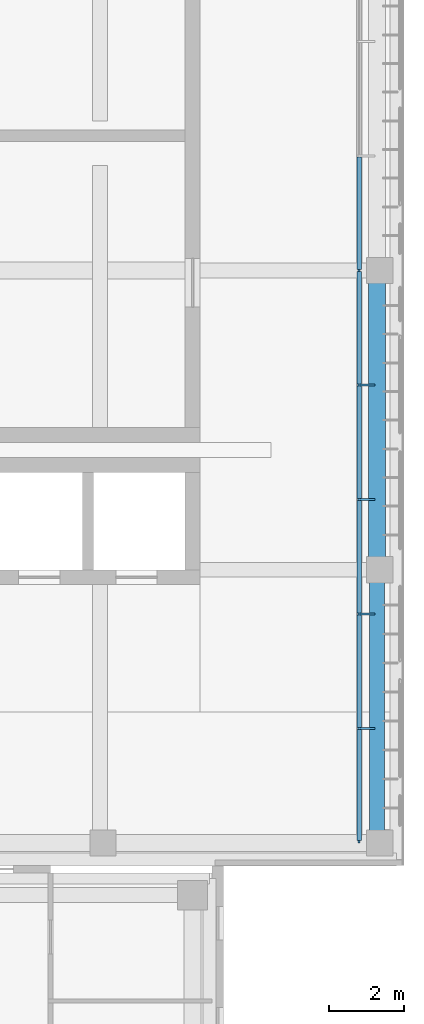
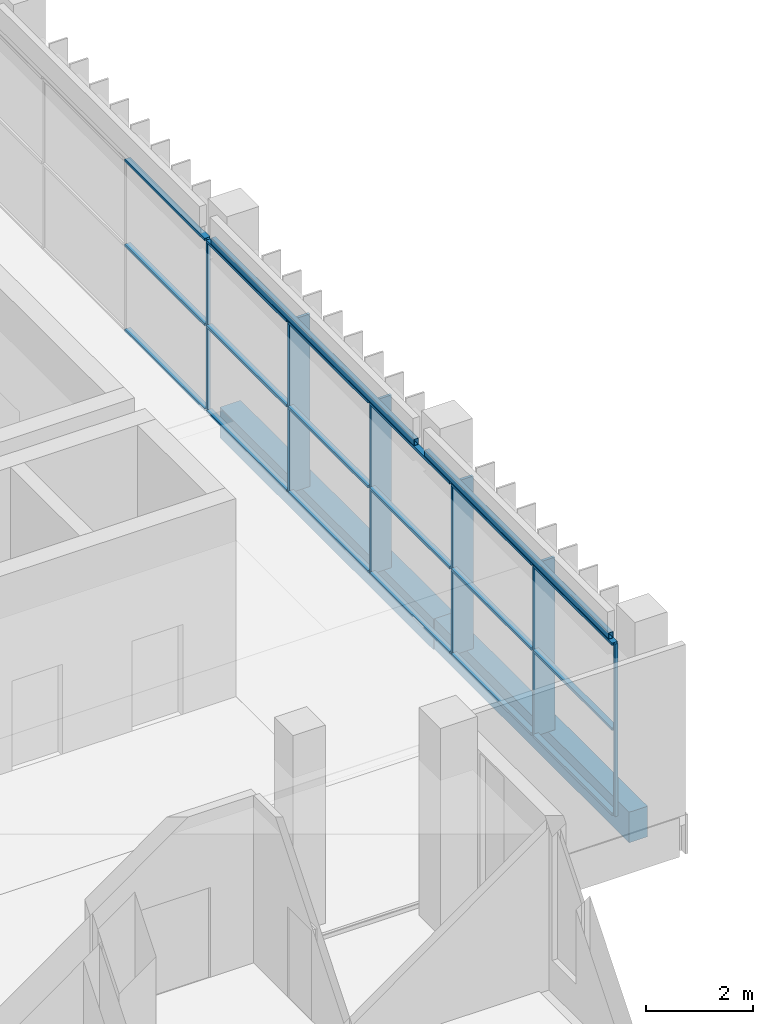
# One storey, part 29 of 73: 24 members, 4 beams, 1 element without a shape of its own.
"""IFC4 building model written with IfcOpenShell, lengths in metres."""

from ifc_helpers import new_model, si_unit, direction, frame, origin, origin_2d, place, context, subcontext, project, spatial, rectangle, hollow_rectangle, extrude, material, material_profile, profile_set, type_object, element, aggregate, save


model = new_model("IFC4")

# Units and contexts
model_context = context("Model", 3, precision=1e-05, world=origin(), true_north=direction((0.0, 1.0)))
body_context = subcontext(model_context, "Body", "Model", "MODEL_VIEW")
ifc_project = project(units=[si_unit("LENGTHUNIT", "METRE"), si_unit("AREAUNIT", "SQUARE_METRE"), si_unit("VOLUMEUNIT", "CUBIC_METRE"), si_unit("PLANEANGLEUNIT", "RADIAN"), si_unit("MASSUNIT", "GRAM", prefix="KILO")], contexts=[model_context])

# Site, building, storey
site_placement = place(None, origin())
site = spatial("IfcSite", under=ifc_project, at=site_placement, CompositionType="ELEMENT")
building_placement = place(site_placement, origin())
building = spatial("IfcBuilding", under=site, at=building_placement, Name="Lantern Court Media Centre", CompositionType="ELEMENT")
storey_placement = place(building_placement, frame((0.0, 0.0, 24.0)))
storey = spatial("IfcBuildingStorey", under=building, at=storey_placement, Name="L05", CompositionType="ELEMENT", Elevation=24.0)

# Curtain wall, members
ifc_material_1 = material(Name="Curtain wall bay 3000")
curtain_wall_type = type_object("IfcCurtainWallType", Name="Curtain wall bay 3000", PredefinedType="NOTDEFINED", material=ifc_material_1)
curtain_wall_placement = place(storey_placement, origin())
curtain_wall = element("IfcCurtainWall", 1, at=curtain_wall_placement, inside=storey, type_object=curtain_wall_type, Name="Curtain wall E outer L05", PredefinedType="NOTDEFINED")
ifc_material_2 = material(Name="Anodised aluminium", Category="aluminium")
ifc_material_profile_1 = material_profile(ifc_material_2, rectangle(XDim=0.449951171875, YDim=0.06005859375, at=origin_2d()), Name="AL 60x450")
ifc_profile_set_1 = profile_set([ifc_material_profile_1], Name="Anodised aluminium")
member_type_1 = type_object("IfcMemberType", Name="Curtain wall mullion 60x450", PredefinedType="MULLION", material=ifc_profile_set_1)
member_1_placement = place(storey_placement, frame((100.044921875, 67.760009765625, 0.0), z_axis=(0.0, 0.0, 1.0), x_axis=(-1.0, 0.0, 0.0)))
member_1 = element("IfcMember", 2, at=member_1_placement, type_object=member_type_1, Name="CW1 mullion 2", PredefinedType="MULLION", context=body_context, shape_type="SweptSolid", body=[
    extrude(rectangle(XDim=0.449951171875, YDim=0.06005859375, at=origin_2d()), origin(), (0.0, 0.0, 1.0), 3.949951171875),
])
member_2_placement = place(storey_placement, frame((100.044921875, 70.820068359375, 0.0), z_axis=(0.0, 0.0, 1.0), x_axis=(-1.0, 0.0, 0.0)))
member_2 = element("IfcMember", 3, at=member_2_placement, type_object=member_type_1, Name="CW1 mullion 3", PredefinedType="MULLION", context=body_context, shape_type="SweptSolid", body=[
    extrude(rectangle(XDim=0.449951171875, YDim=0.06005859375, at=origin_2d()), origin(), (0.0, 0.0, 1.0), 3.949951171875),
])
member_3_placement = place(storey_placement, frame((100.044921875, 73.8798828125, 0.0), z_axis=(0.0, 0.0, 1.0), x_axis=(-1.0, 0.0, 0.0)))
member_3 = element("IfcMember", 4, at=member_3_placement, type_object=member_type_1, Name="CW1 mullion 4", PredefinedType="MULLION", context=body_context, shape_type="SweptSolid", body=[
    extrude(rectangle(XDim=0.449951171875, YDim=0.06005859375, at=origin_2d()), origin(), (0.0, 0.0, 1.0), 3.949951171875),
])
member_4_placement = place(storey_placement, frame((100.044921875, 76.93994140625, 0.0), z_axis=(0.0, 0.0, 1.0), x_axis=(-1.0, 0.0, 0.0)))
member_4 = element("IfcMember", 5, at=member_4_placement, type_object=member_type_1, Name="CW1 mullion 5", PredefinedType="MULLION", context=body_context, shape_type="SweptSolid", body=[
    extrude(rectangle(XDim=0.449951171875, YDim=0.06005859375, at=origin_2d()), origin(), (0.0, 0.0, 1.0), 3.949951171875),
])
ifc_material_profile_2 = material_profile(ifc_material_2, rectangle(XDim=0.06005859375, YDim=0.06005859375, at=origin_2d()), Name="AL 60x60")
ifc_profile_set_2 = profile_set([ifc_material_profile_2], Name="Anodised aluminium")
member_type_2 = type_object("IfcMemberType", Name="Curtain wall mullion 60x60", PredefinedType="MULLION", material=ifc_profile_set_2)
member_5_placement = place(storey_placement, frame((99.85009765625, 64.72998046875, 0.0), z_axis=(0.0, 0.0, 1.0), x_axis=(-1.0, 0.0, 0.0)))
member_5 = element("IfcMember", 6, at=member_5_placement, type_object=member_type_2, Name="CW1 mullion 1", PredefinedType="MULLION", context=body_context, shape_type="SweptSolid", body=[
    extrude(rectangle(XDim=0.06005859375, YDim=0.06005859375, at=origin_2d()), origin(), (0.0, 0.0, 1.0), 3.949951171875),
])
member_6_placement = place(storey_placement, frame((99.85009765625, 80.0, 0.0), z_axis=(0.0, 0.0, 1.0), x_axis=(-1.0, 0.0, 0.0)))
member_6 = element("IfcMember", 7, at=member_6_placement, type_object=member_type_2, Name="CW1 mullion 6", PredefinedType="MULLION", context=body_context, shape_type="SweptSolid", body=[
    extrude(rectangle(XDim=0.06005859375, YDim=0.06005859375, at=origin_2d()), origin(), (0.0, 0.0, 1.0), 3.949951171875),
])
ifc_material_profile_3 = material_profile(ifc_material_2, rectangle(XDim=0.1201171875, YDim=0.06005859375, at=origin_2d()), Name="AL 60x120")
ifc_profile_set_3 = profile_set([ifc_material_profile_3], Name="Anodised aluminium")
member_type_3 = type_object("IfcMemberType", Name="Curtain wall transom 60x120", PredefinedType="USERDEFINED", material=ifc_profile_set_3)
member_7_placement = place(storey_placement, frame((99.85009765625, 64.760009765625, 0.030029296875), z_axis=(0.0, 1.0, 0.0), x_axis=(-1.0, 0.0, 0.0)))
member_7 = element("IfcMember", 8, at=member_7_placement, type_object=member_type_3, Name="CW1 transom 1.1", ObjectType="TRANSOM", PredefinedType="USERDEFINED", context=body_context, shape_type="SweptSolid", body=[
    extrude(rectangle(XDim=0.1201171875, YDim=0.06005859375, at=origin_2d()), origin(), (0.0, 0.0, 1.0), 2.969970703125),
])
member_8_placement = place(storey_placement, frame((99.85009765625, 64.760009765625, 1.97509765625), z_axis=(0.0, 1.0, 0.0), x_axis=(-1.0, 0.0, 0.0)))
member_8 = element("IfcMember", 9, at=member_8_placement, type_object=member_type_3, Name="CW1 transom 1.2", ObjectType="TRANSOM", PredefinedType="USERDEFINED", context=body_context, shape_type="SweptSolid", body=[
    extrude(rectangle(XDim=0.1201171875, YDim=0.06005859375, at=origin_2d()), origin(), (0.0, 0.0, 1.0), 2.969970703125),
])
member_9_placement = place(storey_placement, frame((99.85009765625, 64.760009765625, 3.919921875), z_axis=(0.0, 1.0, 0.0), x_axis=(-1.0, 0.0, 0.0)))
member_9 = element("IfcMember", 10, at=member_9_placement, type_object=member_type_3, Name="CW1 transom 1.3", ObjectType="TRANSOM", PredefinedType="USERDEFINED", context=body_context, shape_type="SweptSolid", body=[
    extrude(rectangle(XDim=0.1201171875, YDim=0.06005859375, at=origin_2d()), origin(), (0.0, 0.0, 1.0), 2.969970703125),
])
member_10_placement = place(storey_placement, frame((99.85009765625, 67.7900390625, 0.030029296875), z_axis=(0.0, 1.0, 0.0), x_axis=(-1.0, 0.0, 0.0)))
member_10 = element("IfcMember", 11, at=member_10_placement, type_object=member_type_3, Name="CW1 transom 2.1", ObjectType="TRANSOM", PredefinedType="USERDEFINED", context=body_context, shape_type="SweptSolid", body=[
    extrude(rectangle(XDim=0.1201171875, YDim=0.06005859375, at=origin_2d()), origin(), (0.0, 0.0, 1.0), 3.0),
])
member_11_placement = place(storey_placement, frame((99.85009765625, 67.7900390625, 1.97509765625), z_axis=(0.0, 1.0, 0.0), x_axis=(-1.0, 0.0, 0.0)))
member_11 = element("IfcMember", 12, at=member_11_placement, type_object=member_type_3, Name="CW1 transom 2.2", ObjectType="TRANSOM", PredefinedType="USERDEFINED", context=body_context, shape_type="SweptSolid", body=[
    extrude(rectangle(XDim=0.1201171875, YDim=0.06005859375, at=origin_2d()), origin(), (0.0, 0.0, 1.0), 3.0),
])
member_12_placement = place(storey_placement, frame((99.85009765625, 67.7900390625, 3.919921875), z_axis=(0.0, 1.0, 0.0), x_axis=(-1.0, 0.0, 0.0)))
member_12 = element("IfcMember", 13, at=member_12_placement, type_object=member_type_3, Name="CW1 transom 2.3", ObjectType="TRANSOM", PredefinedType="USERDEFINED", context=body_context, shape_type="SweptSolid", body=[
    extrude(rectangle(XDim=0.1201171875, YDim=0.06005859375, at=origin_2d()), origin(), (0.0, 0.0, 1.0), 3.0),
])
member_13_placement = place(storey_placement, frame((99.85009765625, 70.85009765625, 0.030029296875), z_axis=(0.0, 1.0, 0.0), x_axis=(-1.0, 0.0, 0.0)))
member_13 = element("IfcMember", 14, at=member_13_placement, type_object=member_type_3, Name="CW1 transom 3.1", ObjectType="TRANSOM", PredefinedType="USERDEFINED", context=body_context, shape_type="SweptSolid", body=[
    extrude(rectangle(XDim=0.1201171875, YDim=0.06005859375, at=origin_2d()), origin(), (0.0, 0.0, 1.0), 3.0),
])
member_14_placement = place(storey_placement, frame((99.85009765625, 70.85009765625, 1.97509765625), z_axis=(0.0, 1.0, 0.0), x_axis=(-1.0, 0.0, 0.0)))
member_14 = element("IfcMember", 15, at=member_14_placement, type_object=member_type_3, Name="CW1 transom 3.2", ObjectType="TRANSOM", PredefinedType="USERDEFINED", context=body_context, shape_type="SweptSolid", body=[
    extrude(rectangle(XDim=0.1201171875, YDim=0.06005859375, at=origin_2d()), origin(), (0.0, 0.0, 1.0), 3.0),
])
member_15_placement = place(storey_placement, frame((99.85009765625, 70.85009765625, 3.919921875), z_axis=(0.0, 1.0, 0.0), x_axis=(-1.0, 0.0, 0.0)))
member_15 = element("IfcMember", 16, at=member_15_placement, type_object=member_type_3, Name="CW1 transom 3.3", ObjectType="TRANSOM", PredefinedType="USERDEFINED", context=body_context, shape_type="SweptSolid", body=[
    extrude(rectangle(XDim=0.1201171875, YDim=0.06005859375, at=origin_2d()), origin(), (0.0, 0.0, 1.0), 3.0),
])
member_16_placement = place(storey_placement, frame((99.85009765625, 73.909912109375, 0.030029296875), z_axis=(0.0, 1.0, 0.0), x_axis=(-1.0, 0.0, 0.0)))
member_16 = element("IfcMember", 17, at=member_16_placement, type_object=member_type_3, Name="CW1 transom 4.1", ObjectType="TRANSOM", PredefinedType="USERDEFINED", context=body_context, shape_type="SweptSolid", body=[
    extrude(rectangle(XDim=0.1201171875, YDim=0.06005859375, at=origin_2d()), origin(), (0.0, 0.0, 1.0), 3.0),
])
member_17_placement = place(storey_placement, frame((99.85009765625, 73.909912109375, 1.97509765625), z_axis=(0.0, 1.0, 0.0), x_axis=(-1.0, 0.0, 0.0)))
member_17 = element("IfcMember", 18, at=member_17_placement, type_object=member_type_3, Name="CW1 transom 4.2", ObjectType="TRANSOM", PredefinedType="USERDEFINED", context=body_context, shape_type="SweptSolid", body=[
    extrude(rectangle(XDim=0.1201171875, YDim=0.06005859375, at=origin_2d()), origin(), (0.0, 0.0, 1.0), 3.0),
])
member_18_placement = place(storey_placement, frame((99.85009765625, 73.909912109375, 3.919921875), z_axis=(0.0, 1.0, 0.0), x_axis=(-1.0, 0.0, 0.0)))
member_18 = element("IfcMember", 19, at=member_18_placement, type_object=member_type_3, Name="CW1 transom 4.3", ObjectType="TRANSOM", PredefinedType="USERDEFINED", context=body_context, shape_type="SweptSolid", body=[
    extrude(rectangle(XDim=0.1201171875, YDim=0.06005859375, at=origin_2d()), origin(), (0.0, 0.0, 1.0), 3.0),
])
member_19_placement = place(storey_placement, frame((99.85009765625, 76.969970703125, 0.030029296875), z_axis=(0.0, 1.0, 0.0), x_axis=(-1.0, 0.0, 0.0)))
member_19 = element("IfcMember", 20, at=member_19_placement, type_object=member_type_3, Name="CW1 transom 5.1", ObjectType="TRANSOM", PredefinedType="USERDEFINED", context=body_context, shape_type="SweptSolid", body=[
    extrude(rectangle(XDim=0.1201171875, YDim=0.06005859375, at=origin_2d()), origin(), (0.0, 0.0, 1.0), 3.0),
])
member_20_placement = place(storey_placement, frame((99.85009765625, 76.969970703125, 1.97509765625), z_axis=(0.0, 1.0, 0.0), x_axis=(-1.0, 0.0, 0.0)))
member_20 = element("IfcMember", 21, at=member_20_placement, type_object=member_type_3, Name="CW1 transom 5.2", ObjectType="TRANSOM", PredefinedType="USERDEFINED", context=body_context, shape_type="SweptSolid", body=[
    extrude(rectangle(XDim=0.1201171875, YDim=0.06005859375, at=origin_2d()), origin(), (0.0, 0.0, 1.0), 3.0),
])
member_21_placement = place(storey_placement, frame((99.85009765625, 76.969970703125, 3.919921875), z_axis=(0.0, 1.0, 0.0), x_axis=(-1.0, 0.0, 0.0)))
member_21 = element("IfcMember", 22, at=member_21_placement, type_object=member_type_3, Name="CW1 transom 5.3", ObjectType="TRANSOM", PredefinedType="USERDEFINED", context=body_context, shape_type="SweptSolid", body=[
    extrude(rectangle(XDim=0.1201171875, YDim=0.06005859375, at=origin_2d()), origin(), (0.0, 0.0, 1.0), 3.0),
])
member_22_placement = place(storey_placement, frame((99.85009765625, 80.030029296875, 0.030029296875), z_axis=(0.0, 1.0, 0.0), x_axis=(-1.0, 0.0, 0.0)))
member_22 = element("IfcMember", 23, at=member_22_placement, type_object=member_type_3, Name="CW1 transom 6.1", ObjectType="TRANSOM", PredefinedType="USERDEFINED", context=body_context, shape_type="SweptSolid", body=[
    extrude(rectangle(XDim=0.1201171875, YDim=0.06005859375, at=origin_2d()), origin(), (0.0, 0.0, 1.0), 3.0),
])
member_23_placement = place(storey_placement, frame((99.85009765625, 80.030029296875, 1.97509765625), z_axis=(0.0, 1.0, 0.0), x_axis=(-1.0, 0.0, 0.0)))
member_23 = element("IfcMember", 24, at=member_23_placement, type_object=member_type_3, Name="CW1 transom 6.2", ObjectType="TRANSOM", PredefinedType="USERDEFINED", context=body_context, shape_type="SweptSolid", body=[
    extrude(rectangle(XDim=0.1201171875, YDim=0.06005859375, at=origin_2d()), origin(), (0.0, 0.0, 1.0), 3.0),
])
member_24_placement = place(storey_placement, frame((99.85009765625, 80.030029296875, 3.919921875), z_axis=(0.0, 1.0, 0.0), x_axis=(-1.0, 0.0, 0.0)))
member_24 = element("IfcMember", 25, at=member_24_placement, type_object=member_type_3, Name="CW1 transom 6.3", ObjectType="TRANSOM", PredefinedType="USERDEFINED", context=body_context, shape_type="SweptSolid", body=[
    extrude(rectangle(XDim=0.1201171875, YDim=0.06005859375, at=origin_2d()), origin(), (0.0, 0.0, 1.0), 3.0),
])
aggregate(curtain_wall, [member_5, member_1, member_2, member_3, member_4, member_6, member_7, member_8, member_9, member_10, member_11, member_12, member_13, member_14, member_15, member_16, member_17, member_18, member_19, member_20, member_21, member_22, member_23, member_24])

# Beams
ifc_material_3 = material(Name="Steel S355J2 (EN 10025-2)", Category="steel")
ifc_material_profile_4 = material_profile(ifc_material_3, hollow_rectangle(XDim=0.10009765625, YDim=0.14990234375, WallThickness=0.00634765625, InnerFilletRadius=0.00634765625, OuterFilletRadius=0.009521484375, at=origin_2d()), Name="Facade head lintel RHS 150x100x6.3")
ifc_profile_set_4 = profile_set([ifc_material_profile_4], Name="Steel S355J2 (EN 10025-2)")
beam_type_1 = type_object("IfcBeamType", Name="Facade head lintel RHS 150x100x6.3", PredefinedType="BEAM", material=ifc_profile_set_4)
beam_1_placement = place(storey_placement, frame((99.85009765625, 64.89990234375, 4.02490234375), z_axis=(0.0, 1.0, 0.0), x_axis=(-1.0, 0.0, 0.0)))
element("IfcBeam", 26, at=beam_1_placement, inside=storey, type_object=beam_type_1, Name="Facade head lintel E L05", PredefinedType="BEAM", context=body_context, shape_type="SweptSolid", body=[
    extrude(hollow_rectangle(XDim=0.10009765625, YDim=0.14990234375, WallThickness=0.00634765625, InnerFilletRadius=0.00634765625, OuterFilletRadius=0.009521484375, at=origin_2d()), origin(), (0.0, 0.0, 1.0), 6.900146484375),
])
beam_2_placement = place(storey_placement, frame((99.85009765625, 72.199951171875, 4.02490234375), z_axis=(0.0, 1.0, 0.0), x_axis=(-1.0, 0.0, 0.0)))
element("IfcBeam", 27, at=beam_2_placement, inside=storey, type_object=beam_type_1, Name="Facade head lintel E L05", PredefinedType="BEAM", context=body_context, shape_type="SweptSolid", body=[
    extrude(hollow_rectangle(XDim=0.10009765625, YDim=0.14990234375, WallThickness=0.00634765625, InnerFilletRadius=0.00634765625, OuterFilletRadius=0.009521484375, at=origin_2d()), origin(), (0.0, 0.0, 1.0), 7.60009765625),
])
ifc_material_4 = material(Name="Concrete C35", Category="concrete")
ifc_material_profile_5 = material_profile(ifc_material_4, rectangle(XDim=0.39990234375, YDim=0.699951171875, at=origin_2d()), Name="RC 400x700")
ifc_profile_set_5 = profile_set([ifc_material_profile_5], Name="Concrete C35")
beam_type_2 = type_object("IfcBeamType", Name="RC BEAM 400x700", PredefinedType="BEAM", material=ifc_profile_set_5)
beam_3_placement = place(storey_placement, frame((100.3271484375, 64.699951171875, -0.35009765625), z_axis=(0.0, 1.0, 0.0), x_axis=(-1.0, 0.0, 0.0)))
element("IfcBeam", 28, at=beam_3_placement, inside=storey, type_object=beam_type_2, Name="LB-E-L05-2-0", PredefinedType="BEAM", context=body_context, shape_type="SweptSolid", body=[
    extrude(rectangle(XDim=0.39990234375, YDim=0.699951171875, at=origin_2d()), origin(), (0.0, 0.0, 1.0), 7.300048828125),
])
ifc_material_profile_6 = material_profile(ifc_material_4, rectangle(XDim=0.449951171875, YDim=0.699951171875, at=origin_2d()), Name="RC 450x700")
ifc_profile_set_6 = profile_set([ifc_material_profile_6], Name="Concrete C35")
beam_type_3 = type_object("IfcBeamType", Name="RC BEAM 450x700", PredefinedType="BEAM", material=ifc_profile_set_6)
beam_4_placement = place(storey_placement, frame((100.3271484375, 72.0, -0.35009765625), z_axis=(0.0, 1.0, 0.0), x_axis=(-1.0, 0.0, 0.0)))
element("IfcBeam", 29, at=beam_4_placement, inside=storey, type_object=beam_type_3, Name="LB-E-L05-2-1", PredefinedType="BEAM", context=body_context, shape_type="SweptSolid", body=[
    extrude(rectangle(XDim=0.449951171875, YDim=0.699951171875, at=origin_2d()), origin(), (0.0, 0.0, 1.0), 8.0),
])

save(model, "model.ifc")
